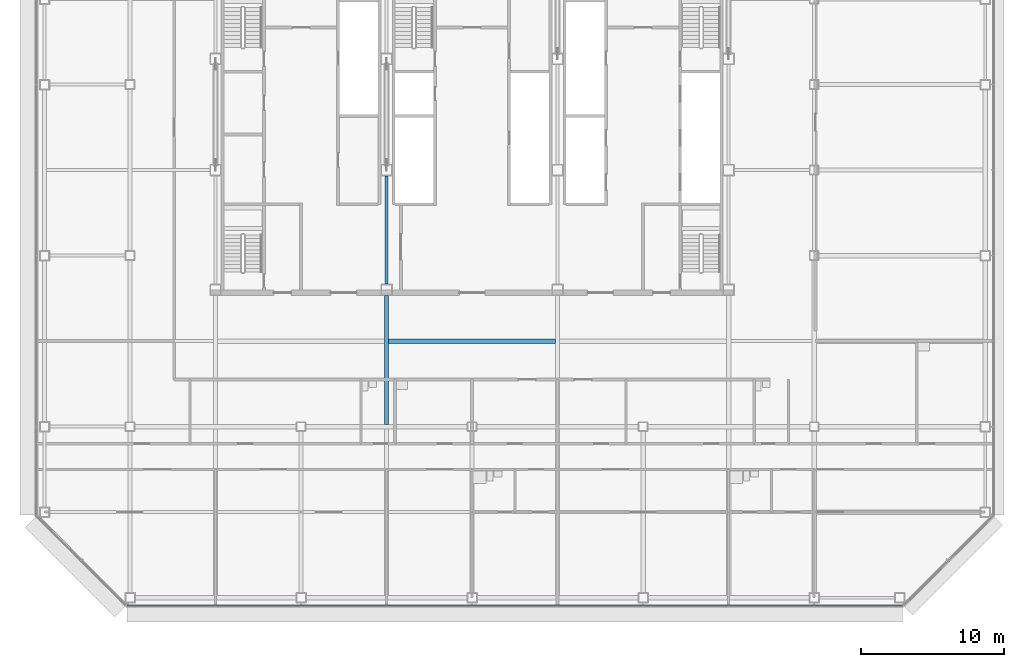
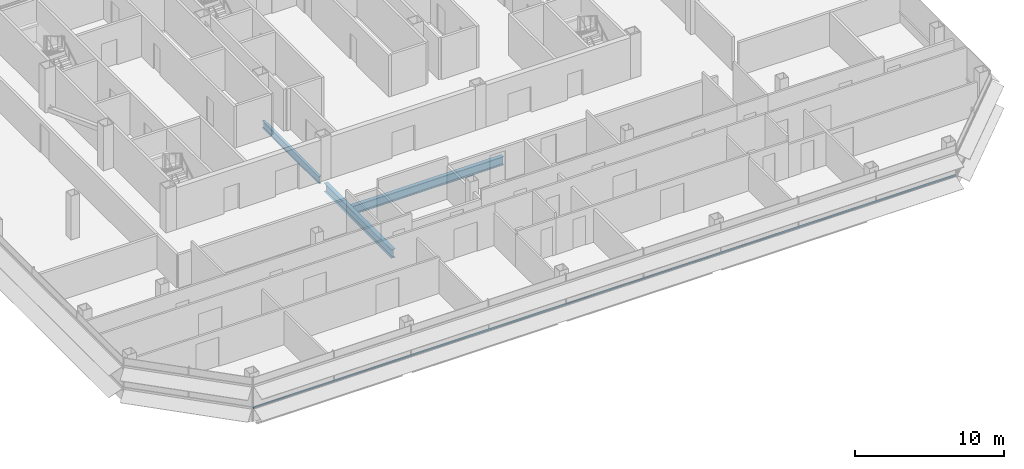
# One storey, part 7 of 24: 3 beams, 1 member, 1 element without a shape of its own.
"""IFC4 building model written with IfcOpenShell, lengths in metres."""

from ifc_helpers import new_model, si_unit, direction, frame, origin, origin_2d, place, context, subcontext, project, spatial, rectangle, i_section, extrude, material, material_profile, profile_set, type_object, element, aggregate, save


model = new_model("IFC4")

# Units and contexts
model_context = context("Model", 3, precision=1e-05, world=origin(), true_north=direction((0.0, 1.0)))
body_context = subcontext(model_context, "Body", "Model", "MODEL_VIEW")
ifc_project = project(units=[si_unit("LENGTHUNIT", "METRE"), si_unit("AREAUNIT", "SQUARE_METRE"), si_unit("VOLUMEUNIT", "CUBIC_METRE"), si_unit("PLANEANGLEUNIT", "RADIAN"), si_unit("MASSUNIT", "GRAM", prefix="KILO")], contexts=[model_context])

# Site, building, storey
site_placement = place(None, origin())
site = spatial("IfcSite", under=ifc_project, at=site_placement, CompositionType="ELEMENT")
building_placement = place(site_placement, origin())
building = spatial("IfcBuilding", under=site, at=building_placement, Name="Sorahane Residences", CompositionType="ELEMENT")
storey_placement = place(building_placement, frame((0.0, 0.0, 178.0)))
storey = spatial("IfcBuildingStorey", under=building, at=storey_placement, Name="L41", CompositionType="ELEMENT", Elevation=178.0)

# Curtain wall, member
ifc_material_1 = material(Name="Dark low-e glass and black anodised aluminium", Category="aluminium")
curtain_wall_type = type_object("IfcCurtainWallType", Name="Curtain wall CW-1 Typical unitised wall", PredefinedType="NOTDEFINED", material=ifc_material_1)
curtain_wall_placement = place(storey_placement, origin())
curtain_wall = element("IfcCurtainWall", 1, at=curtain_wall_placement, inside=storey, type_object=curtain_wall_type, Name="CW-1 curtain wall L41 S1", PredefinedType="NOTDEFINED")
ifc_material_2 = material(Name="Black anodised aluminium", Category="aluminium")
ifc_material_profile_1 = material_profile(ifc_material_2, rectangle(XDim=0.10009765625, YDim=0.06005859375, at=origin_2d()), Name="Curtain wall transom CW-1 black anodised aluminium 60x100")
ifc_profile_set_1 = profile_set([ifc_material_profile_1], Name="Black anodised aluminium")
member_type = type_object("IfcMemberType", Name="Curtain wall transom CW-1 black anodised aluminium 60x100", PredefinedType="USERDEFINED", material=ifc_profile_set_1)
member_placement = place(storey_placement, frame((-0.198486328125, -0.530029296875, 0.89990234375), z_axis=(1.0, 0.0, 0.0), x_axis=(0.0, 1.0, 0.0)))
member = element("IfcMember", 2, at=member_placement, type_object=member_type, Name="CW-1 transom L41 S1", ObjectType="TRANSOM", PredefinedType="USERDEFINED", context=body_context, shape_type="SweptSolid", body=[
    extrude(rectangle(XDim=0.10009765625, YDim=0.06005859375, at=origin_2d()), origin(), (0.0, 0.0, 1.0), 54.39697265625),
])
aggregate(curtain_wall, [member])

# Beams
ifc_material_3 = material(Name="Steel Q355B", Category="steel")
ifc_material_profile_2 = material_profile(ifc_material_3, i_section(OverallWidth=0.199951171875, OverallDepth=0.60009765625, WebThickness=0.010986328125, FlangeThickness=0.01708984375, FilletRadius=0.02392578125, at=origin_2d()), Name="HN 600x200x11x17")
ifc_profile_set_2 = profile_set([ifc_material_profile_2], Name="Steel Q355B")
beam_type_1 = type_object("IfcBeamType", Name="Steel floor beam HN 600x200x11x17 Q355B", PredefinedType="BEAM", material=ifc_profile_set_2)
beam_1_placement = place(storey_placement, frame((18.0, 22.0, -0.47998046875), z_axis=(0.0, 1.0, 0.0), x_axis=(-1.0, 0.0, 0.0)))
element("IfcBeam", 3, at=beam_1_placement, inside=storey, type_object=beam_type_1, Name="Beam L41 038", PredefinedType="BEAM", context=body_context, shape_type="SweptSolid", body=[
    extrude(i_section(OverallWidth=0.199951171875, OverallDepth=0.60009765625, WebThickness=0.010986328125, FlangeThickness=0.01708984375, FilletRadius=0.02392578125, at=origin_2d()), origin(), (0.0, 0.0, 1.0), 7.60009765625),
])
ifc_material_4 = material(Name="Steel Q355B", Category="steel")
ifc_material_profile_3 = material_profile(ifc_material_4, i_section(OverallWidth=0.300048828125, OverallDepth=0.699951171875, WebThickness=0.012939453125, FlangeThickness=0.02392578125, FilletRadius=0.028076171875, at=origin_2d()), Name="HN 700x300x13x24")
ifc_profile_set_3 = profile_set([ifc_material_profile_3], Name="Steel Q355B")
beam_type_2 = type_object("IfcBeamType", Name="Steel floor beam HN 700x300x13x24 Q355B", PredefinedType="BEAM", material=ifc_profile_set_3)
beam_2_placement = place(storey_placement, frame((18.0, 12.14990234375, -0.530029296875), z_axis=(0.0, 1.0, 0.0), x_axis=(-1.0, 0.0, 0.0)))
element("IfcBeam", 4, at=beam_2_placement, inside=storey, type_object=beam_type_2, Name="Beam L41 037", PredefinedType="BEAM", context=body_context, shape_type="SweptSolid", body=[
    extrude(i_section(OverallWidth=0.300048828125, OverallDepth=0.699951171875, WebThickness=0.012939453125, FlangeThickness=0.02392578125, FilletRadius=0.028076171875, at=origin_2d()), origin(), (0.0, 0.0, 1.0), 9.050048828125),
])
beam_3_placement = place(storey_placement, frame((18.14990234375, 18.0, -0.530029296875), z_axis=(1.0, 0.0, 0.0), x_axis=(0.0, 1.0, 0.0)))
element("IfcBeam", 5, at=beam_3_placement, inside=storey, type_object=beam_type_2, Name="Beam L41 081", PredefinedType="BEAM", context=body_context, shape_type="SweptSolid", body=[
    extrude(i_section(OverallWidth=0.300048828125, OverallDepth=0.699951171875, WebThickness=0.012939453125, FlangeThickness=0.02392578125, FilletRadius=0.028076171875, at=origin_2d()), origin(), (0.0, 0.0, 1.0), 11.7001953125),
])

save(model, "model.ifc")
